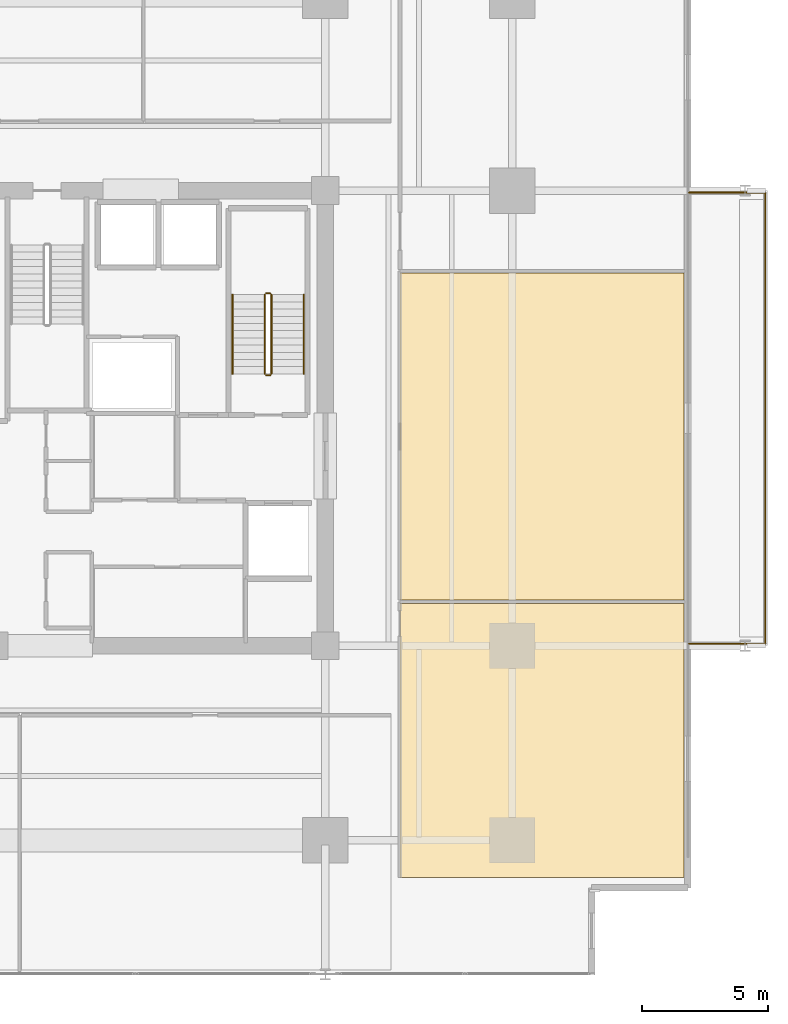
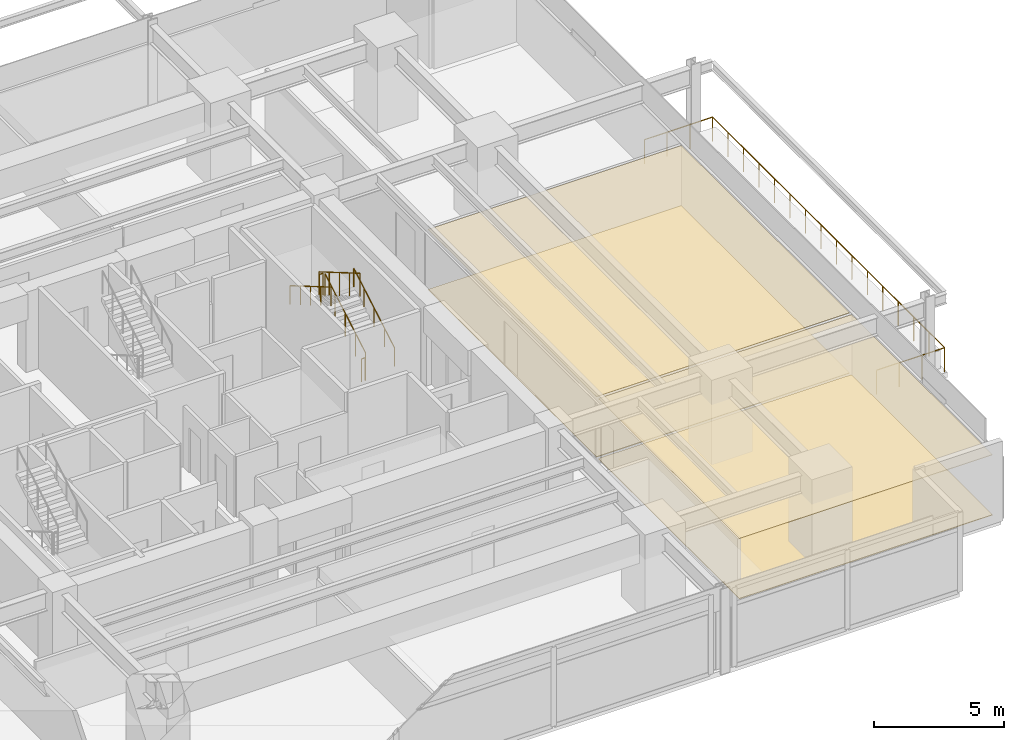
# One storey, part 21 of 22: 7 railings, 4 coverings.
"""IFC4 building model written with IfcOpenShell, lengths in metres."""

from ifc_helpers import new_model, si_unit, direction, frame, origin, origin_2d, place, context, subcontext, project, spatial, polyline, circle, outline, extrude, material, layer, layer_set, type_object, element, save


model = new_model("IFC4")

# Units and contexts
model_context = context("Model", 3, precision=1e-05, world=origin(), true_north=direction((0.0, 1.0)))
body_context = subcontext(model_context, "Body", "Model", "MODEL_VIEW")
ifc_project = project(units=[si_unit("LENGTHUNIT", "METRE"), si_unit("AREAUNIT", "SQUARE_METRE"), si_unit("VOLUMEUNIT", "CUBIC_METRE"), si_unit("PLANEANGLEUNIT", "RADIAN"), si_unit("MASSUNIT", "GRAM", prefix="KILO")], contexts=[model_context])

# Site, building, storey
site_placement = place(None, origin())
site = spatial("IfcSite", under=ifc_project, at=site_placement, CompositionType="ELEMENT")
building_placement = place(site_placement, origin())
building = spatial("IfcBuilding", under=site, at=building_placement, Name="Kovane Verandah Tower", CompositionType="ELEMENT")
storey_placement = place(building_placement, frame((0.0, 0.0, 43.60009765625)))
storey = spatial("IfcBuildingStorey", under=building, at=storey_placement, Name="L09", CompositionType="ELEMENT", Elevation=43.60009765625)

# Coverings
ifc_material_1 = material(Name="Perforated Acoustic Mineral-Fibre Ceiling Tile", Category="gypsum")
ifc_layer_1 = layer(ifc_material_1, 0.02490234375)
ifc_layer_set_1 = layer_set([ifc_layer_1], Name="Perforated Acoustic Mineral-Fibre Ceiling Tile")
covering_type_1 = type_object("IfcCoveringType", Name="CV-CEIL-25", PredefinedType="CEILING", material=ifc_layer_set_1)
covering_1_placement = place(storey_placement, frame((0.0, 0.0, 2.824951171875)))
element("IfcCovering", 1, at=covering_1_placement, inside=storey, type_object=covering_type_1, Name="L09 Open Plan Office E1 Acoustic Ceiling", PredefinedType="CEILING", context=body_context, shape_type="SweptSolid", body=[
    extrude(outline(polyline([(53.949951171875, 9.326904296875), (65.18310546875, 9.326904296875), (65.18310546875, 20.160888671875), (53.949951171875, 20.160888671875), (53.949951171875, 9.326904296875)])), origin(), (0.0, 0.0, 1.0), 0.02490234375),
])
covering_2_placement = place(storey_placement, frame((0.0, 0.0, 2.824951171875)))
element("IfcCovering", 2, at=covering_2_placement, inside=storey, type_object=covering_type_1, Name="L09 Executive Office E2 Acoustic Ceiling", PredefinedType="CEILING", context=body_context, shape_type="SweptSolid", body=[
    extrude(outline(polyline([(53.949951171875, 20.30078125), (65.18310546875, 20.30078125), (65.18310546875, 33.245361328125), (53.949951171875, 33.245361328125), (53.949951171875, 20.30078125)])), origin(), (0.0, 0.0, 1.0), 0.02490234375),
])
ifc_material_2 = material(Name="Polished Terrazzo and Raised-Access Carpet Tile Finish", Category="concrete")
ifc_layer_2 = layer(ifc_material_2, 0.030029296875)
ifc_layer_set_2 = layer_set([ifc_layer_2], Name="Polished Terrazzo and Raised-Access Carpet Tile Finish")
covering_type_2 = type_object("IfcCoveringType", Name="CV-FLOR-30", PredefinedType="FLOORING", material=ifc_layer_set_2)
covering_3_placement = place(storey_placement, origin())
element("IfcCovering", 3, at=covering_3_placement, inside=storey, type_object=covering_type_2, Name="L09 Open Plan Office E1 Floor Finish", PredefinedType="FLOORING", context=body_context, shape_type="SweptSolid", body=[
    extrude(outline(polyline([(53.949951171875, 9.326904296875), (65.18310546875, 9.326904296875), (65.18310546875, 20.160888671875), (53.949951171875, 20.160888671875), (53.949951171875, 9.326904296875)])), origin(), (0.0, 0.0, 1.0), 0.02978515625),
])
covering_4_placement = place(storey_placement, origin())
element("IfcCovering", 4, at=covering_4_placement, inside=storey, type_object=covering_type_2, Name="L09 Executive Office E2 Floor Finish", PredefinedType="FLOORING", context=body_context, shape_type="SweptSolid", body=[
    extrude(outline(polyline([(53.949951171875, 20.30078125), (65.18310546875, 20.30078125), (65.18310546875, 33.245361328125), (53.949951171875, 33.245361328125), (53.949951171875, 20.30078125)])), origin(), (0.0, 0.0, 1.0), 0.02978515625),
])

# Railings
ifc_material_3 = material(Name="Laminated Glass and Pale-Champagne Stainless Balustrade", Category="glass")
railing_type_1 = type_object("IfcRailingType", Name="RL-BAL-1150", PredefinedType="BALUSTRADE", material=ifc_material_3)
railing_1_placement = place(storey_placement, frame((65.383056640625, 18.580078125, 0.0)))
element("IfcRailing", 5, at=railing_1_placement, inside=storey, type_object=railing_type_1, Name="L09 E Verandah Glass Balustrade", PredefinedType="BALUSTRADE", context=body_context, shape_type="SweptSolid", body=[
    extrude(circle(Radius=0.02392578125, at=origin_2d()), frame((0.0, 0.0, 1.1259765625), z_axis=(1.0, 0.0, 0.0), x_axis=(0.0, 1.0, 0.0)), (0.0, 0.0, 1.0), 3.02001953125),
    extrude(circle(Radius=0.02392578125, at=origin_2d()), frame((3.02001953125, 0.0, 1.1259765625), z_axis=(0.0, 1.0, 0.0), x_axis=(-1.0, 0.0, 0.0)), (0.0, 0.0, 1.0), 17.83984375),
    extrude(circle(Radius=0.02392578125, at=origin_2d()), frame((3.02001953125, 17.83984375, 1.1259765625), z_axis=(-1.0, 0.0, 0.0), x_axis=(0.0, -1.0, 0.0)), (0.0, 0.0, 1.0), 3.02001953125),
    extrude(circle(Radius=0.02099609375, at=origin_2d()), origin(), (0.0, 0.0, 1.0), 1.101806640625),
    extrude(circle(Radius=0.02099609375, at=origin_2d()), frame((1.006591796875, 0.0, 0.0)), (0.0, 0.0, 1.0), 1.101806640625),
    extrude(circle(Radius=0.02099609375, at=origin_2d()), frame((2.013427734375, 0.0, 0.0)), (0.0, 0.0, 1.0), 1.101806640625),
    extrude(circle(Radius=0.02099609375, at=origin_2d()), frame((3.02001953125, 0.0, 0.0)), (0.0, 0.0, 1.0), 1.101806640625),
    extrude(circle(Radius=0.02099609375, at=origin_2d()), frame((3.02001953125, 1.189208984375, 0.0)), (0.0, 0.0, 1.0), 1.101806640625),
    extrude(circle(Radius=0.02099609375, at=origin_2d()), frame((3.02001953125, 2.378662109375, 0.0)), (0.0, 0.0, 1.0), 1.101806640625),
    extrude(circle(Radius=0.02099609375, at=origin_2d()), frame((3.02001953125, 3.56787109375, 0.0)), (0.0, 0.0, 1.0), 1.101806640625),
    extrude(circle(Radius=0.02099609375, at=origin_2d()), frame((3.02001953125, 4.75732421875, 0.0)), (0.0, 0.0, 1.0), 1.101806640625),
    extrude(circle(Radius=0.02099609375, at=origin_2d()), frame((3.02001953125, 5.946533203125, 0.0)), (0.0, 0.0, 1.0), 1.101806640625),
    extrude(circle(Radius=0.02099609375, at=origin_2d()), frame((3.02001953125, 7.135986328125, 0.0)), (0.0, 0.0, 1.0), 1.101806640625),
    extrude(circle(Radius=0.02099609375, at=origin_2d()), frame((3.02001953125, 8.3251953125, 0.0)), (0.0, 0.0, 1.0), 1.101806640625),
    extrude(circle(Radius=0.02099609375, at=origin_2d()), frame((3.02001953125, 9.5146484375, 0.0)), (0.0, 0.0, 1.0), 1.101806640625),
    extrude(circle(Radius=0.02099609375, at=origin_2d()), frame((3.02001953125, 10.703857421875, 0.0)), (0.0, 0.0, 1.0), 1.101806640625),
    extrude(circle(Radius=0.02099609375, at=origin_2d()), frame((3.02001953125, 11.893310546875, 0.0)), (0.0, 0.0, 1.0), 1.101806640625),
    extrude(circle(Radius=0.02099609375, at=origin_2d()), frame((3.02001953125, 13.08251953125, 0.0)), (0.0, 0.0, 1.0), 1.101806640625),
    extrude(circle(Radius=0.02099609375, at=origin_2d()), frame((3.02001953125, 14.27197265625, 0.0)), (0.0, 0.0, 1.0), 1.101806640625),
    extrude(circle(Radius=0.02099609375, at=origin_2d()), frame((3.02001953125, 15.461181640625, 0.0)), (0.0, 0.0, 1.0), 1.101806640625),
    extrude(circle(Radius=0.02099609375, at=origin_2d()), frame((3.02001953125, 16.650634765625, 0.0)), (0.0, 0.0, 1.0), 1.101806640625),
    extrude(circle(Radius=0.02099609375, at=origin_2d()), frame((3.02001953125, 17.83984375, 0.0)), (0.0, 0.0, 1.0), 1.101806640625),
    extrude(circle(Radius=0.02099609375, at=origin_2d()), frame((2.013427734375, 17.83984375, 0.0)), (0.0, 0.0, 1.0), 1.101806640625),
    extrude(circle(Radius=0.02099609375, at=origin_2d()), frame((1.006591796875, 17.83984375, 0.0)), (0.0, 0.0, 1.0), 1.101806640625),
    extrude(circle(Radius=0.02099609375, at=origin_2d()), frame((0.0, 17.83984375, 0.0)), (0.0, 0.0, 1.0), 1.101806640625),
])
ifc_material_4 = material(Name="Brushed Stainless Steel Handrail", Category="steel")
railing_type_2 = type_object("IfcRailingType", Name="RL-HAND-920", PredefinedType="HANDRAIL", material=ifc_material_4)
railing_2_placement = place(storey_placement, frame((50.14990234375, 29.25, 0.16650390625)))
element("IfcRailing", 6, at=railing_2_placement, inside=storey, type_object=railing_type_2, Name="L09 ST-02 stair handrail 1", PredefinedType="HANDRAIL", context=body_context, shape_type="SweptSolid", body=[
    extrude(circle(Radius=0.02392578125, at=origin_2d()), frame((0.0, 0.0, 0.8759765625), z_axis=(0.0, 0.863210265497, 0.504844567704), x_axis=(-1.0, 0.0, 0.0)), (0.0, 0.0, 1.0), 3.6318359375),
    extrude(circle(Radius=0.02099609375, at=origin_2d()), origin(), (0.0, 0.0, 1.0), 0.851806640625),
    extrude(circle(Radius=0.02099609375, at=origin_2d()), frame((0.0, 0.78369140625, 0.45849609375)), (0.0, 0.0, 1.0), 0.851806640625),
    extrude(circle(Radius=0.02099609375, at=origin_2d()), frame((0.0, 1.5673828125, 0.916748046875)), (0.0, 0.0, 1.0), 0.851806640625),
    extrude(circle(Radius=0.02099609375, at=origin_2d()), frame((0.0, 2.351318359375, 1.375)), (0.0, 0.0, 1.0), 0.851806640625),
    extrude(circle(Radius=0.02099609375, at=origin_2d()), frame((0.0, 3.135009765625, 1.83349609375)), (0.0, 0.0, 1.0), 0.851806640625),
])
railing_3_placement = place(storey_placement, frame((47.330078125, 32.385009765625, 2.16650390625)))
element("IfcRailing", 7, at=railing_3_placement, inside=storey, type_object=railing_type_2, Name="L09 ST-02 stair handrail 2", PredefinedType="HANDRAIL", context=body_context, shape_type="SweptSolid", body=[
    extrude(circle(Radius=0.02392578125, at=origin_2d()), frame((0.0, 0.0, 0.8759765625), z_axis=(0.0, -0.863210265497, 0.504844567704), x_axis=(1.0, 0.0, 0.0)), (0.0, 0.0, 1.0), 3.6318359375),
    extrude(circle(Radius=0.02099609375, at=origin_2d()), origin(), (0.0, 0.0, 1.0), 0.851806640625),
    extrude(circle(Radius=0.02099609375, at=origin_2d()), frame((0.0, -0.78369140625, 0.45849609375)), (0.0, 0.0, 1.0), 0.851806640625),
    extrude(circle(Radius=0.02099609375, at=origin_2d()), frame((0.0, -1.5673828125, 0.916748046875)), (0.0, 0.0, 1.0), 0.851806640625),
    extrude(circle(Radius=0.02099609375, at=origin_2d()), frame((0.0, -2.351318359375, 1.375)), (0.0, 0.0, 1.0), 0.851806640625),
    extrude(circle(Radius=0.02099609375, at=origin_2d()), frame((0.0, -3.135009765625, 1.83349609375)), (0.0, 0.0, 1.0), 0.851806640625),
])
ifc_material_5 = material(Name="Painted Steel Stairwell Guardrail", Category="steel")
railing_type_3 = type_object("IfcRailingType", Name="RL-STGUARD-1120", PredefinedType="GUARDRAIL", material=ifc_material_5)
railing_4_placement = place(storey_placement, frame((48.8701171875, 29.25, 0.16650390625)))
element("IfcRailing", 8, at=railing_4_placement, inside=storey, type_object=railing_type_3, Name="L09 ST-02 stair guard 1", PredefinedType="GUARDRAIL", context=body_context, shape_type="SweptSolid", body=[
    extrude(circle(Radius=0.02392578125, at=origin_2d()), frame((0.0, 0.0, 1.076171875), z_axis=(0.0, 0.863210265497, 0.504844567704), x_axis=(-1.0, 0.0, 0.0)), (0.0, 0.0, 1.0), 3.6318359375),
    extrude(circle(Radius=0.02099609375, at=origin_2d()), origin(), (0.0, 0.0, 1.0), 1.052001953125),
    extrude(circle(Radius=0.02099609375, at=origin_2d()), frame((0.0, 0.78369140625, 0.45849609375)), (0.0, 0.0, 1.0), 1.052001953125),
    extrude(circle(Radius=0.02099609375, at=origin_2d()), frame((0.0, 1.5673828125, 0.916748046875)), (0.0, 0.0, 1.0), 1.052001953125),
    extrude(circle(Radius=0.02099609375, at=origin_2d()), frame((0.0, 2.351318359375, 1.375)), (0.0, 0.0, 1.0), 1.052001953125),
    extrude(circle(Radius=0.02099609375, at=origin_2d()), frame((0.0, 3.135009765625, 1.83349609375)), (0.0, 0.0, 1.0), 1.052001953125),
])
railing_5_placement = place(storey_placement, frame((48.820068359375, 32.43505859375, 2.0)))
element("IfcRailing", 9, at=railing_5_placement, inside=storey, type_object=railing_type_3, Name="L09 ST-02 stair guard 2", PredefinedType="GUARDRAIL", context=body_context, shape_type="SweptSolid", body=[
    extrude(circle(Radius=0.02392578125, at=origin_2d()), frame((0.0, 0.0, 1.076171875), z_axis=(-1.0, 0.0, 0.0), x_axis=(0.0, -1.0, 0.0)), (0.0, 0.0, 1.0), 0.16015625),
    extrude(circle(Radius=0.02099609375, at=origin_2d()), origin(), (0.0, 0.0, 1.0), 1.052001953125),
    extrude(circle(Radius=0.02099609375, at=origin_2d()), frame((-0.16015625, 0.0, 0.0)), (0.0, 0.0, 1.0), 1.052001953125),
])
railing_6_placement = place(storey_placement, frame((48.610107421875, 32.385009765625, 2.16650390625)))
element("IfcRailing", 10, at=railing_6_placement, inside=storey, type_object=railing_type_3, Name="L09 ST-02 stair guard 3", PredefinedType="GUARDRAIL", context=body_context, shape_type="SweptSolid", body=[
    extrude(circle(Radius=0.02392578125, at=origin_2d()), frame((0.0, 0.0, 1.076171875), z_axis=(0.0, -0.863210265497, 0.504844567704), x_axis=(1.0, 0.0, 0.0)), (0.0, 0.0, 1.0), 3.6318359375),
    extrude(circle(Radius=0.02099609375, at=origin_2d()), origin(), (0.0, 0.0, 1.0), 1.052001953125),
    extrude(circle(Radius=0.02099609375, at=origin_2d()), frame((0.0, -0.78369140625, 0.45849609375)), (0.0, 0.0, 1.0), 1.052001953125),
    extrude(circle(Radius=0.02099609375, at=origin_2d()), frame((0.0, -1.5673828125, 0.916748046875)), (0.0, 0.0, 1.0), 1.052001953125),
    extrude(circle(Radius=0.02099609375, at=origin_2d()), frame((0.0, -2.351318359375, 1.375)), (0.0, 0.0, 1.0), 1.052001953125),
    extrude(circle(Radius=0.02099609375, at=origin_2d()), frame((0.0, -3.135009765625, 1.83349609375)), (0.0, 0.0, 1.0), 1.052001953125),
])
railing_7_placement = place(storey_placement, frame((48.820068359375, 29.199951171875, 0.0)))
element("IfcRailing", 11, at=railing_7_placement, inside=storey, type_object=railing_type_3, Name="L09 ST-02 stair guard 4", PredefinedType="GUARDRAIL", context=body_context, shape_type="SweptSolid", body=[
    extrude(circle(Radius=0.02392578125, at=origin_2d()), frame((0.0, 0.0, 1.076171875), z_axis=(-1.0, 0.0, 0.0), x_axis=(0.0, -1.0, 0.0)), (0.0, 0.0, 1.0), 0.16015625),
    extrude(circle(Radius=0.02099609375, at=origin_2d()), origin(), (0.0, 0.0, 1.0), 1.052001953125),
    extrude(circle(Radius=0.02099609375, at=origin_2d()), frame((-0.16015625, 0.0, 0.0)), (0.0, 0.0, 1.0), 1.052001953125),
])

save(model, "model.ifc")
